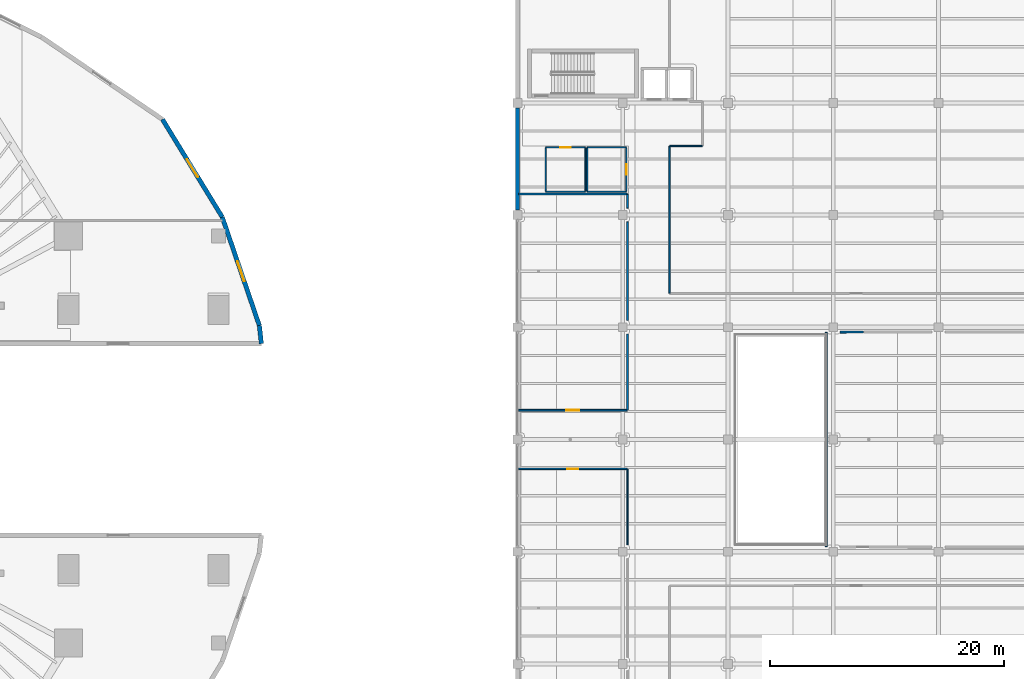
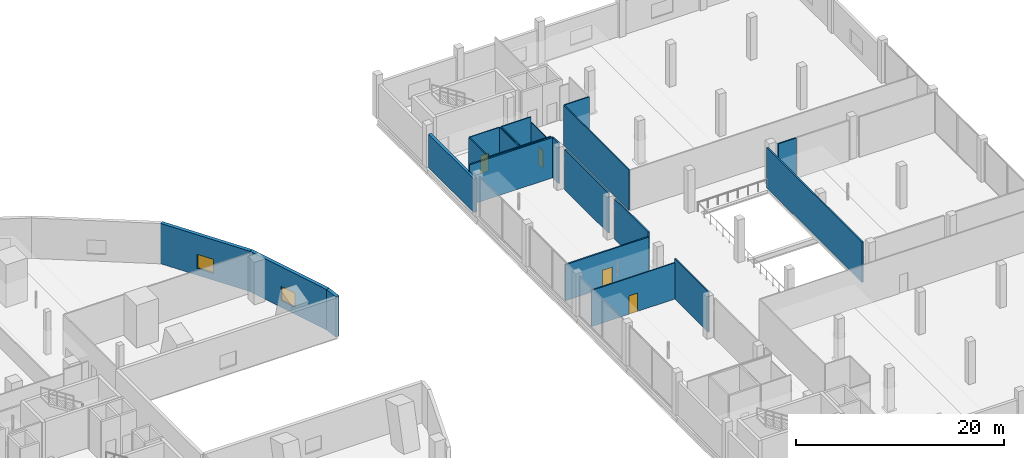
# One storey, part 31 of 47: 23 walls, 4 doors, 2 windows, 6 openings.
"""IFC4 building model written with IfcOpenShell, lengths in metres."""

from ifc_helpers import new_model, si_unit, direction, frame, frame_2d, origin, place, context, subcontext, project, spatial, rectangle, extrude, material, layer, layer_set, type_object, element, fill, save


model = new_model("IFC4")

# Units and contexts
model_context = context("Model", 3, precision=1e-05, world=origin(), true_north=direction((0.0, 1.0)))
body_context = subcontext(model_context, "Body", "Model", "MODEL_VIEW")
ifc_project = project(units=[si_unit("LENGTHUNIT", "METRE"), si_unit("AREAUNIT", "SQUARE_METRE"), si_unit("VOLUMEUNIT", "CUBIC_METRE"), si_unit("PLANEANGLEUNIT", "RADIAN"), si_unit("MASSUNIT", "GRAM", prefix="KILO")], contexts=[model_context])

# Site, building, storey
site_placement = place(None, origin())
site = spatial("IfcSite", under=ifc_project, at=site_placement, CompositionType="ELEMENT")
building_placement = place(site_placement, origin())
building = spatial("IfcBuilding", under=site, at=building_placement, Name="Qorvath Tower", CompositionType="ELEMENT")
storey_placement = place(building_placement, frame((0.0, 0.0, 12.0)))
storey = spatial("IfcBuildingStorey", under=building, at=storey_placement, Name="L02", CompositionType="ELEMENT", Elevation=12.0)

# Walls
ifc_material_1 = material(Name="Double acoustic gypsum board on steel studs", Category="steel")
ifc_layer_1 = layer(ifc_material_1, 0.159912109375)
ifc_layer_set_1 = layer_set([ifc_layer_1], Name="IW-ACOUSTIC-160")
wall_type_1 = type_object("IfcWallType", Name="IW-ACOUSTIC-160", PredefinedType="PARTITIONING", material=ifc_layer_set_1)
wall_1_placement = place(storey_placement, frame((61.983154296875, 9.199951171875, 0.0), z_axis=(0.0, 0.0, 1.0), x_axis=(-0.999991860604, -0.004034690231, 0.0)))
element("IfcWall", 1, at=wall_1_placement, inside=storey, type_object=wall_type_1, Name="Interior Partition IW-LB-L02-033", PredefinedType="PARTITIONING", context=body_context, shape_type="SweptSolid", body=[
    extrude(rectangle(XDim=1.996826171875, YDim=0.159912109375, at=frame_2d((0.99853515625, 0.0))), origin(), (0.0, 0.0, 1.0), 4.739990234375),
])
wall_2_placement = place(storey_placement, frame((58.800048828125, 9.1669921875, 0.0), z_axis=(0.0, 0.0, 1.0), x_axis=(0.0, -1.0, 0.0)))
element("IfcWall", 2, at=wall_2_placement, inside=storey, type_object=wall_type_1, Name="Interior Partition IW-LB-L02-034", PredefinedType="PARTITIONING", context=body_context, shape_type="SweptSolid", body=[
    extrude(rectangle(XDim=18.333984375, YDim=0.159912109375, at=frame_2d((9.1669921875, 0.0))), origin(), (0.0, 0.0, 1.0), 4.739990234375),
])

# Wall, opening, door
wall_3_placement = place(storey_placement, frame((32.47998046875, 2.508056640625, 0.0), z_axis=(0.0, 0.0, 1.0), x_axis=(1.0, 0.0, 0.0)))
wall_3 = element("IfcWall", 3, at=wall_3_placement, inside=storey, type_object=wall_type_1, Name="Interior Partition IW-LB-L02-035", PredefinedType="PARTITIONING", context=body_context, shape_type="SweptSolid", body=[
    extrude(rectangle(XDim=9.294921875, YDim=0.159912109375, at=frame_2d((4.6474609375, 0.0))), origin(), (0.0, 0.0, 1.0), 4.2529296875),
])
opening_1_placement = place(wall_3_placement, frame((4.097412109375, 0.0, 0.0)))
opening_1 = element("IfcOpeningElement", 4, at=opening_1_placement, cuts=wall_3, Name="Opening D-LB-L02-08", PredefinedType="OPENING", context=body_context, shape_type="SweptSolid", body=[
    extrude(rectangle(XDim=1.10009765625, YDim=2.14990234375, at=frame_2d((0.550048828125, 1.074951171875))), frame((0.0, 0.08984375, 0.0), z_axis=(0.0, -1.0, 0.0), x_axis=(1.0, 0.0, 0.0)), (0.0, 0.0, 1.0), 0.179931640625),
])
ifc_material_2 = material(Name="Anodised aluminium acoustic framed glass", Category="aluminium")
door_type_1 = type_object("IfcDoorType", Name="D-03", OperationType="NOTDEFINED", PredefinedType="DOOR", material=ifc_material_2)
door_1_placement = place(opening_1_placement, origin())
door_1 = element("IfcDoor", 5, at=door_1_placement, inside=storey, type_object=door_type_1, Name="L-L02-SEM-W Research Seminar Suite L02 Door D-LB-L02-08", OperationType="SINGLE_SWING_RIGHT", OverallHeight=2.14990234375, OverallWidth=1.10009765625, PredefinedType="DOOR", context=body_context, shape_type="SweptSolid", body=[
    extrude(rectangle(XDim=1.10009765625, YDim=2.14990234375, at=frame_2d((0.550048828125, 1.074951171875))), frame((0.0, 0.02490234375, 0.0), z_axis=(0.0, -1.0, 0.0), x_axis=(1.0, 0.0, 0.0)), (0.0, 0.0, 1.0), 0.050048828125),
])
fill(opening_1, door_1)

# Walls
wall_4_placement = place(storey_placement, frame((41.800048828125, 2.533203125, 0.0), z_axis=(0.0, 0.0, 1.0), x_axis=(0.0, 1.0, 0.0)))
element("IfcWall", 6, at=wall_4_placement, inside=storey, type_object=wall_type_1, Name="Interior Partition IW-LB-L02-036", PredefinedType="PARTITIONING", context=body_context, shape_type="SweptSolid", body=[
    extrude(rectangle(XDim=6.477294921875, YDim=0.159912109375, at=frame_2d((3.23876953125, 0.0))), origin(), (0.0, 0.0, 1.0), 4.739990234375),
])
wall_5_placement = place(storey_placement, frame((41.800048828125, 10.189697265625, 0.0), z_axis=(0.0, 0.0, 1.0), x_axis=(0.0, 1.0, 0.0)))
element("IfcWall", 7, at=wall_5_placement, inside=storey, type_object=wall_type_1, Name="Interior Partition IW-LB-L02-037", PredefinedType="PARTITIONING", context=body_context, shape_type="SweptSolid", body=[
    extrude(rectangle(XDim=8.420654296875, YDim=0.159912109375, at=frame_2d((4.21044921875, 0.0))), origin(), (0.0, 0.0, 1.0), 4.739990234375),
])
wall_6_placement = place(storey_placement, frame((41.800048828125, 19.78955078125, 0.0), z_axis=(0.0, 0.0, 1.0), x_axis=(0.0, 1.0, 0.0)))
element("IfcWall", 8, at=wall_6_placement, inside=storey, type_object=wall_type_1, Name="Interior Partition IW-LB-L02-038", PredefinedType="PARTITIONING", context=body_context, shape_type="SweptSolid", body=[
    extrude(rectangle(XDim=1.185546875, YDim=0.159912109375, at=frame_2d((0.5927734375, 0.0))), origin(), (0.0, 0.0, 1.0), 4.739990234375),
])
wall_7_placement = place(storey_placement, frame((41.77490234375, 21.0, 0.0), z_axis=(0.0, 0.0, 1.0), x_axis=(-1.0, 0.0, 0.0)))
element("IfcWall", 9, at=wall_7_placement, inside=storey, type_object=wall_type_1, Name="Interior Partition IW-LB-L02-039", PredefinedType="PARTITIONING", context=body_context, shape_type="SweptSolid", body=[
    extrude(rectangle(XDim=9.294921875, YDim=0.159912109375, at=frame_2d((4.6474609375, 0.0))), origin(), (0.0, 0.0, 1.0), 4.739990234375),
])
ifc_material_3 = material(Name="Gypsum board on metal studs with mineral wool", Category="gypsum")
ifc_layer_2 = layer(ifc_material_3, 0.125)
ifc_layer_set_2 = layer_set([ifc_layer_2], Name="IW-PART-125")
wall_type_2 = type_object("IfcWallType", Name="IW-PART-125", PredefinedType="PARTITIONING", material=ifc_layer_set_2)
wall_8_placement = place(storey_placement, frame((45.43310546875, 25.112060546875, 0.0), z_axis=(0.0, 0.0, 1.0), x_axis=(1.0, 0.0, 0.0)))
element("IfcWall", 10, at=wall_8_placement, inside=storey, type_object=wall_type_2, Name="Interior Partition IW-LB-L02-019", PredefinedType="PARTITIONING", context=body_context, shape_type="SweptSolid", body=[
    extrude(rectangle(XDim=2.75, YDim=0.125, at=frame_2d((1.375, 0.0))), origin(), (0.0, 0.0, 1.0), 4.739990234375),
])
wall_9_placement = place(storey_placement, frame((45.407958984375, 25.087158203125, 0.0), z_axis=(0.0, 0.0, 1.0), x_axis=(0.0, -1.0, 0.0)))
element("IfcWall", 11, at=wall_9_placement, inside=storey, type_object=wall_type_2, Name="Interior Partition IW-LB-L02-020", PredefinedType="PARTITIONING", context=body_context, shape_type="SweptSolid", body=[
    extrude(rectangle(XDim=12.553955078125, YDim=0.125, at=frame_2d((6.27685546875, 0.0))), origin(), (0.0, 0.0, 1.0), 4.739990234375),
])
wall_10_placement = place(storey_placement, frame((41.800048828125, -9.010498046875, 0.0), z_axis=(0.0, 0.0, 1.0), x_axis=(0.0, 1.0, 0.0)))
element("IfcWall", 12, at=wall_10_placement, inside=storey, type_object=wall_type_2, Name="Interior Partition IW-LB-L02-043", PredefinedType="PARTITIONING", context=body_context, shape_type="SweptSolid", body=[
    extrude(rectangle(XDim=6.477294921875, YDim=0.125, at=frame_2d((3.23876953125, 0.0))), origin(), (0.0, 0.0, 1.0), 4.739990234375),
])

# Wall, opening, door
wall_11_placement = place(storey_placement, frame((41.77490234375, -2.508056640625, 0.0), z_axis=(0.0, 0.0, 1.0), x_axis=(-1.0, 0.0, 0.0)))
wall_11 = element("IfcWall", 13, at=wall_11_placement, inside=storey, type_object=wall_type_2, Name="Interior Partition IW-LB-L02-044", PredefinedType="PARTITIONING", context=body_context, shape_type="SweptSolid", body=[
    extrude(rectangle(XDim=9.294921875, YDim=0.125, at=frame_2d((4.6474609375, 0.0))), origin(), (0.0, 0.0, 1.0), 4.2529296875),
])
opening_2_placement = place(wall_11_placement, frame((4.17236328125, 0.0, 0.0)))
opening_2 = element("IfcOpeningElement", 14, at=opening_2_placement, cuts=wall_11, Name="Opening D-LB-L02-09", PredefinedType="OPENING", context=body_context, shape_type="SweptSolid", body=[
    extrude(rectangle(XDim=0.949951171875, YDim=2.14990234375, at=frame_2d((0.47509765625, 1.074951171875))), frame((0.0, 0.072509765625, 0.0), z_axis=(0.0, -1.0, 0.0), x_axis=(1.0, 0.0, 0.0)), (0.0, 0.0, 1.0), 0.14501953125),
])
ifc_material_4 = material(Name="Solid-core American white oak veneer", Category="wood")
door_type_2 = type_object("IfcDoorType", Name="D-01", OperationType="NOTDEFINED", PredefinedType="DOOR", material=ifc_material_4)
door_2_placement = place(opening_2_placement, origin())
door_2 = element("IfcDoor", 15, at=door_2_placement, inside=storey, type_object=door_type_2, Name="L-L02-STAFF Cataloguing and Librarian Studio L02 Door D-LB-L02-09", OperationType="SINGLE_SWING_LEFT", OverallHeight=2.14990234375, OverallWidth=0.949951171875, PredefinedType="DOOR", context=body_context, shape_type="SweptSolid", body=[
    extrude(rectangle(XDim=0.949951171875, YDim=2.14990234375, at=frame_2d((0.47509765625, 1.074951171875))), frame((0.0, 0.02490234375, 0.0), z_axis=(0.0, -1.0, 0.0), x_axis=(1.0, 0.0, 0.0)), (0.0, 0.0, 1.0), 0.050048828125),
])
fill(opening_2, door_2)

# Walls
ifc_material_5 = material(Name="Moisture-resistant cement board on metal studs", Category="gypsum")
ifc_layer_3 = layer(ifc_material_5, 0.110107421875)
ifc_layer_set_3 = layer_set([ifc_layer_3], Name="IW-WC-110")
wall_type_3 = type_object("IfcWallType", Name="IW-WC-110", PredefinedType="PARTITIONING", material=ifc_layer_set_3)
wall_12_placement = place(storey_placement, frame((34.824951171875, 21.199951171875, 0.0), z_axis=(0.0, 0.0, 1.0), x_axis=(1.0, 0.0, 0.0)))
element("IfcWall", 16, at=wall_12_placement, inside=storey, type_object=wall_type_3, Name="Interior Partition IW-LB-L02-001", PredefinedType="PARTITIONING", context=body_context, shape_type="SweptSolid", body=[
    extrude(rectangle(XDim=3.35009765625, YDim=0.110107421875, at=frame_2d((1.675048828125, 0.0))), origin(), (0.0, 0.0, 1.0), 4.739990234375),
])
wall_13_placement = place(storey_placement, frame((38.199951171875, 21.22509765625, 0.0), z_axis=(0.0, 0.0, 1.0), x_axis=(0.0, 1.0, 0.0)))
element("IfcWall", 17, at=wall_13_placement, inside=storey, type_object=wall_type_3, Name="Interior Partition IW-LB-L02-002", PredefinedType="PARTITIONING", context=body_context, shape_type="SweptSolid", body=[
    extrude(rectangle(XDim=3.75, YDim=0.110107421875, at=frame_2d((1.875, 0.0))), origin(), (0.0, 0.0, 1.0), 4.739990234375),
])

# Wall, opening, door
wall_14_placement = place(storey_placement, frame((38.175048828125, 25.0, 0.0), z_axis=(0.0, 0.0, 1.0), x_axis=(-1.0, 0.0, 0.0)))
wall_14 = element("IfcWall", 18, at=wall_14_placement, inside=storey, type_object=wall_type_3, Name="Interior Partition IW-LB-L02-003", PredefinedType="PARTITIONING", context=body_context, shape_type="SweptSolid", body=[
    extrude(rectangle(XDim=3.35009765625, YDim=0.110107421875, at=frame_2d((1.675048828125, 0.0))), origin(), (0.0, 0.0, 1.0), 4.739990234375),
])
opening_3_placement = place(wall_14_placement, frame((1.235107421875, 0.0, 0.0)))
opening_3 = element("IfcOpeningElement", 19, at=opening_3_placement, cuts=wall_14, Name="Opening D-LB-L02-01", PredefinedType="OPENING", context=body_context, shape_type="SweptSolid", body=[
    extrude(rectangle(XDim=0.8798828125, YDim=2.10009765625, at=frame_2d((0.43994140625, 1.050048828125))), frame((0.0, 0.06494140625, 0.0), z_axis=(0.0, -1.0, 0.0), x_axis=(1.0, 0.0, 0.0)), (0.0, 0.0, 1.0), 0.130126953125),
])
ifc_material_6 = material(Name="Solid-core oak with acoustic drop seal", Category="wood")
door_type_3 = type_object("IfcDoorType", Name="D-02", OperationType="NOTDEFINED", PredefinedType="DOOR", material=ifc_material_6)
door_3_placement = place(opening_3_placement, origin())
door_3 = element("IfcDoor", 20, at=door_3_placement, inside=storey, type_object=door_type_3, Name="WC East Wing North L02 Door D-LB-L02-01", OperationType="SINGLE_SWING_LEFT", OverallHeight=2.10009765625, OverallWidth=0.8798828125, PredefinedType="DOOR", context=body_context, shape_type="SweptSolid", body=[
    extrude(rectangle(XDim=0.8798828125, YDim=2.10009765625, at=frame_2d((0.43994140625, 1.050048828125))), frame((0.0, 0.02490234375, 0.0), z_axis=(0.0, -1.0, 0.0), x_axis=(1.0, 0.0, 0.0)), (0.0, 0.0, 1.0), 0.050048828125),
])
fill(opening_3, door_3)

# Walls
wall_15_placement = place(storey_placement, frame((34.800048828125, 24.97509765625, 0.0), z_axis=(0.0, 0.0, 1.0), x_axis=(0.0, -1.0, 0.0)))
element("IfcWall", 21, at=wall_15_placement, inside=storey, type_object=wall_type_3, Name="Interior Partition IW-LB-L02-004", PredefinedType="PARTITIONING", context=body_context, shape_type="SweptSolid", body=[
    extrude(rectangle(XDim=3.75, YDim=0.110107421875, at=frame_2d((1.875, 0.0))), origin(), (0.0, 0.0, 1.0), 4.739990234375),
])
wall_16_placement = place(storey_placement, frame((38.375, 21.199951171875, 0.0), z_axis=(0.0, 0.0, 1.0), x_axis=(1.0, 0.0, 0.0)))
element("IfcWall", 22, at=wall_16_placement, inside=storey, type_object=wall_type_3, Name="Interior Partition IW-LB-L02-005", PredefinedType="PARTITIONING", context=body_context, shape_type="SweptSolid", body=[
    extrude(rectangle(XDim=3.300048828125, YDim=0.110107421875, at=frame_2d((1.64990234375, 0.0))), origin(), (0.0, 0.0, 1.0), 4.739990234375),
])

# Wall, opening, door
wall_17_placement = place(storey_placement, frame((41.699951171875, 21.22509765625, 0.0), z_axis=(0.0, 0.0, 1.0), x_axis=(0.0, 1.0, 0.0)))
wall_17 = element("IfcWall", 23, at=wall_17_placement, inside=storey, type_object=wall_type_3, Name="Interior Partition IW-LB-L02-006", PredefinedType="PARTITIONING", context=body_context, shape_type="SweptSolid", body=[
    extrude(rectangle(XDim=3.75, YDim=0.110107421875, at=frame_2d((1.875, 0.0))), origin(), (0.0, 0.0, 1.0), 4.09375),
])
opening_4_placement = place(wall_17_placement, frame((1.43505859375, 0.0, 0.0)))
opening_4 = element("IfcOpeningElement", 24, at=opening_4_placement, cuts=wall_17, Name="Opening D-LB-L02-02", PredefinedType="OPENING", context=body_context, shape_type="SweptSolid", body=[
    extrude(rectangle(XDim=0.8798828125, YDim=2.10009765625, at=frame_2d((0.43994140625, 1.050048828125))), frame((0.0, 0.06494140625, 0.0), z_axis=(0.0, -1.0, 0.0), x_axis=(1.0, 0.0, 0.0)), (0.0, 0.0, 1.0), 0.130126953125),
])
door_4_placement = place(opening_4_placement, origin())
door_4 = element("IfcDoor", 25, at=door_4_placement, inside=storey, type_object=door_type_3, Name="WC East Wing South L02 Door D-LB-L02-02", OperationType="SINGLE_SWING_RIGHT", OverallHeight=2.10009765625, OverallWidth=0.8798828125, PredefinedType="DOOR", context=body_context, shape_type="SweptSolid", body=[
    extrude(rectangle(XDim=0.8798828125, YDim=2.10009765625, at=frame_2d((0.43994140625, 1.050048828125))), frame((0.0, 0.02490234375, 0.0), z_axis=(0.0, -1.0, 0.0), x_axis=(1.0, 0.0, 0.0)), (0.0, 0.0, 1.0), 0.050048828125),
])
fill(opening_4, door_4)

# Walls
wall_18_placement = place(storey_placement, frame((41.675048828125, 25.0, 0.0), z_axis=(0.0, 0.0, 1.0), x_axis=(-1.0, 0.0, 0.0)))
element("IfcWall", 26, at=wall_18_placement, inside=storey, type_object=wall_type_3, Name="Interior Partition IW-LB-L02-007", PredefinedType="PARTITIONING", context=body_context, shape_type="SweptSolid", body=[
    extrude(rectangle(XDim=3.300048828125, YDim=0.110107421875, at=frame_2d((1.64990234375, 0.0))), origin(), (0.0, 0.0, 1.0), 4.739990234375),
])
wall_19_placement = place(storey_placement, frame((38.35009765625, 24.97509765625, 0.0), z_axis=(0.0, 0.0, 1.0), x_axis=(0.0, -1.0, 0.0)))
element("IfcWall", 27, at=wall_19_placement, inside=storey, type_object=wall_type_3, Name="Interior Partition IW-LB-L02-008", PredefinedType="PARTITIONING", context=body_context, shape_type="SweptSolid", body=[
    extrude(rectangle(XDim=3.75, YDim=0.110107421875, at=frame_2d((1.875, 0.0))), origin(), (0.0, 0.0, 1.0), 4.739990234375),
])
ifc_material_7 = material(Name="Precast concrete C45/55", Category="concrete")
ifc_layer_4 = layer(ifc_material_7, 0.320068359375)
ifc_layer_set_4 = layer_set([ifc_layer_4], Name="WL-EW-LIB-320")
wall_type_4 = type_object("IfcWallType", Name="WL-EW-LIB-320", PredefinedType="SOLIDWALL", material=ifc_layer_set_4)
wall_20_placement = place(storey_placement, frame((32.39990234375, 19.6201171875, 0.0), z_axis=(0.0, 0.0, 1.0), x_axis=(0.0, 1.0, 0.0)))
element("IfcWall", 28, at=wall_20_placement, inside=storey, type_object=wall_type_4, Name="Library West Precast Facade Wall L02-7", PredefinedType="SOLIDWALL", context=body_context, shape_type="SweptSolid", body=[
    extrude(rectangle(XDim=8.759765625, YDim=0.320068359375, at=frame_2d((4.3798828125, 0.0))), origin(), (0.0, 0.0, 1.0), 3.93701171875),
])
ifc_material_8 = material(Name="Precast concrete C50/60", Category="concrete")
ifc_layer_5 = layer(ifc_material_8, 0.3798828125)
ifc_layer_set_5 = layer_set([ifc_layer_5], Name="WL-EW-POD-380")
wall_type_5 = type_object("IfcWallType", Name="WL-EW-POD-380", PredefinedType="SOLIDWALL", material=ifc_layer_set_5)
wall_21_placement = place(storey_placement, frame((10.3125, 9.748779296875, 0.0), z_axis=(0.0, 0.0, 1.0), x_axis=(0.109520054504, -0.993984586229, 0.0)))
element("IfcWall", 29, at=wall_21_placement, inside=storey, type_object=wall_type_5, Name="Tower Podium Precast Facade Wall L02-4.1", PredefinedType="SOLIDWALL", context=body_context, shape_type="SweptSolid", body=[
    extrude(rectangle(XDim=1.55810546875, YDim=0.3798828125, at=frame_2d((0.779052734375, 0.0))), origin(), (0.0, 0.0, 1.0), 4.739990234375),
])

# Wall, opening, window
wall_22_placement = place(storey_placement, frame((7.139404296875, 19.029052734375, 0.0), z_axis=(0.0, 0.0, 1.0), x_axis=(0.323529337119, -0.946218139767, 0.0)))
wall_22 = element("IfcWall", 30, at=wall_22_placement, inside=storey, type_object=wall_type_5, Name="Tower Podium Precast Facade Wall L02-5.1", PredefinedType="SOLIDWALL", context=body_context, shape_type="SweptSolid", body=[
    extrude(rectangle(XDim=9.807861328125, YDim=0.3798828125, at=frame_2d((4.90380859375, 0.0))), origin(), (0.0, 0.0, 1.0), 4.739990234375),
])
opening_5_placement = place(wall_22_placement, frame((4.00390625, 0.0, 0.800048828125)))
opening_5 = element("IfcOpeningElement", 31, at=opening_5_placement, cuts=wall_22, Name="Opening WN-L02-018", PredefinedType="OPENING", context=body_context, shape_type="SweptSolid", body=[
    extrude(rectangle(XDim=1.800048828125, YDim=1.64990234375, at=frame_2d((0.89990234375, 0.824951171875))), frame((0.0, 0.199951171875, 0.0), z_axis=(0.0, -1.0, 0.0), x_axis=(1.0, 0.0, 0.0)), (0.0, 0.0, 1.0), 0.39990234375),
])
ifc_material_9 = material(Name="Thermally broken aluminium and triple low-E glass", Category="aluminium")
window_type = type_object("IfcWindowType", Name="WN-1", PartitioningType="SINGLE_PANEL", PredefinedType="WINDOW", material=ifc_material_9)
window_1_placement = place(opening_5_placement, origin())
window_1 = element("IfcWindow", 32, at=window_1_placement, inside=storey, type_object=window_type, Name="Podium Punched Window L02-018", OverallHeight=1.64990234375, OverallWidth=1.800048828125, PartitioningType="SINGLE_PANEL", PredefinedType="WINDOW", context=body_context, shape_type="SweptSolid", body=[
    extrude(rectangle(XDim=1.800048828125, YDim=1.64990234375, at=frame_2d((0.89990234375, 0.824951171875))), frame((0.0, 0.030029296875, 0.0), z_axis=(0.0, -1.0, 0.0), x_axis=(1.0, 0.0, 0.0)), (0.0, 0.0, 1.0), 0.06005859375),
])
fill(opening_5, window_1)

wall_23_placement = place(storey_placement, frame((2.0205078125, 27.39501953125, 0.0), z_axis=(0.0, 0.0, 1.0), x_axis=(0.521922160909, -0.852993117178, 0.0)))
wall_23 = element("IfcWall", 33, at=wall_23_placement, inside=storey, type_object=wall_type_5, Name="Tower Podium Precast Facade Wall L02-6.1", PredefinedType="SOLIDWALL", context=body_context, shape_type="SweptSolid", body=[
    extrude(rectangle(XDim=9.807861328125, YDim=0.3798828125, at=frame_2d((4.90380859375, 0.0))), origin(), (0.0, 0.0, 1.0), 4.739990234375),
])
opening_6_placement = place(wall_23_placement, frame((4.00390625, 0.0, 0.800048828125)))
opening_6 = element("IfcOpeningElement", 34, at=opening_6_placement, cuts=wall_23, Name="Opening WN-L02-019", PredefinedType="OPENING", context=body_context, shape_type="SweptSolid", body=[
    extrude(rectangle(XDim=1.800048828125, YDim=1.64990234375, at=frame_2d((0.89990234375, 0.824951171875))), frame((0.0, 0.199951171875, 0.0), z_axis=(0.0, -1.0, 0.0), x_axis=(1.0, 0.0, 0.0)), (0.0, 0.0, 1.0), 0.39990234375),
])
window_2_placement = place(opening_6_placement, origin())
window_2 = element("IfcWindow", 35, at=window_2_placement, inside=storey, type_object=window_type, Name="Podium Punched Window L02-019", OverallHeight=1.64990234375, OverallWidth=1.800048828125, PartitioningType="SINGLE_PANEL", PredefinedType="WINDOW", context=body_context, shape_type="SweptSolid", body=[
    extrude(rectangle(XDim=1.800048828125, YDim=1.64990234375, at=frame_2d((0.89990234375, 0.824951171875))), frame((0.0, 0.030029296875, 0.0), z_axis=(0.0, -1.0, 0.0), x_axis=(1.0, 0.0, 0.0)), (0.0, 0.0, 1.0), 0.06005859375),
])
fill(opening_6, window_2)

save(model, "model.ifc")
